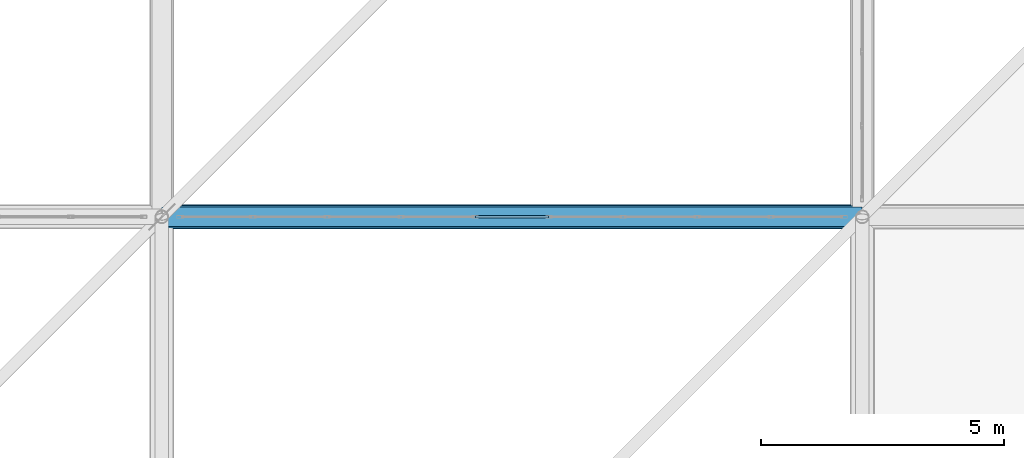
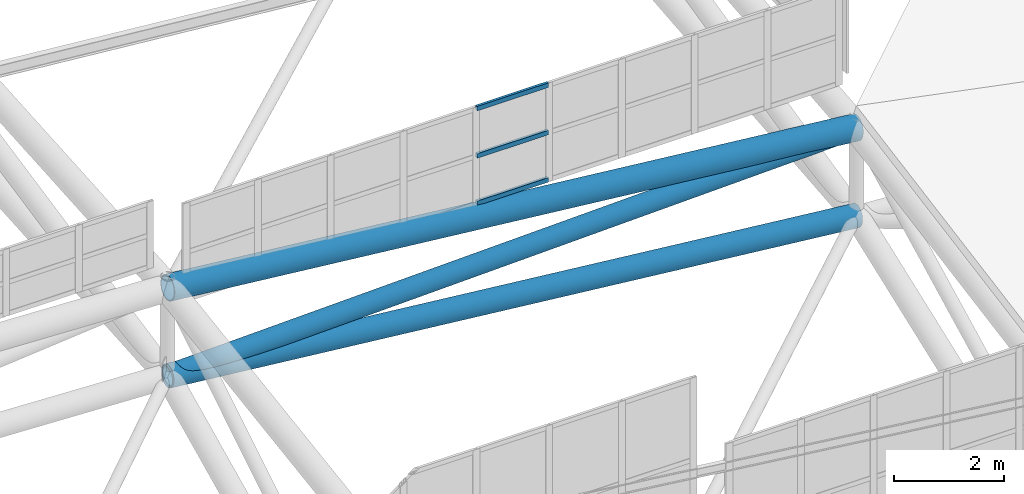
# One storey, part 107 of 397: 4 members, 2 beams, 1 element without a shape of its own.
"""IFC4 building model written with IfcOpenShell, lengths in metres."""

from ifc_helpers import new_model, si_unit, direction, frame, origin, origin_2d, place, context, subcontext, project, spatial, hollow_rectangle, hollow_circle, extrude, material, material_profile, profile_set, type_object, element, aggregate, save


model = new_model("IFC4")

# Units and contexts
model_context = context("Model", 3, precision=1e-05, world=origin(), true_north=direction((0.0, 1.0)))
body_context = subcontext(model_context, "Body", "Model", "MODEL_VIEW")
ifc_project = project(units=[si_unit("LENGTHUNIT", "METRE"), si_unit("AREAUNIT", "SQUARE_METRE"), si_unit("VOLUMEUNIT", "CUBIC_METRE"), si_unit("PLANEANGLEUNIT", "RADIAN"), si_unit("MASSUNIT", "GRAM", prefix="KILO")], contexts=[model_context])

# Site, building, storey
site_placement = place(None, origin())
site = spatial("IfcSite", under=ifc_project, at=site_placement, CompositionType="ELEMENT")
building_placement = place(site_placement, origin())
building = spatial("IfcBuilding", under=site, at=building_placement, Name="Qandorah Velis Arena", CompositionType="ELEMENT")
storey_placement = place(building_placement, frame((0.0, 0.0, 27.5)))
storey = spatial("IfcBuildingStorey", under=building, at=storey_placement, Name="RF", CompositionType="ELEMENT", Elevation=27.5)

# Curtain wall, members
ifc_material_1 = material(Name="Solar-control low-E double glazing", Category="glass")
curtain_wall_type = type_object("IfcCurtainWallType", Name="ARC-CW-SYS20", PredefinedType="USERDEFINED", material=ifc_material_1)
curtain_wall_placement = place(storey_placement, origin())
curtain_wall = element("IfcCurtainWall", 1, at=curtain_wall_placement, inside=storey, type_object=curtain_wall_type, Name="Unitised curtain wall OCULUS-3-5", ObjectType="UNITISED CURTAIN WALL", PredefinedType="USERDEFINED")
ifc_material_2 = material(Name="Champagne-bronze anodized aluminium 6063-T6", Category="aluminium")
ifc_material_profile_1 = material_profile(ifc_material_2, hollow_rectangle(XDim=0.054931640625, YDim=0.10009765625, WallThickness=0.0029296875, at=origin_2d()), Name="ALU TRANSOM 55x100")
ifc_profile_set_1 = profile_set([ifc_material_profile_1], Name="Champagne-bronze anodized aluminium 6063-T6")
member_type_1 = type_object("IfcMemberType", Name="ARC-CWT-100", PredefinedType="USERDEFINED", material=ifc_profile_set_1)
member_1_placement = place(storey_placement, frame((92.8544921875, 28.800048828125, 8.57763671875), z_axis=(1.0, 0.0, 0.0), x_axis=(0.0, 1.0, 0.0)))
member_1 = element("IfcMember", 2, at=member_1_placement, type_object=member_type_1, Name="CW20 transom 5.1", ObjectType="TRANSOM", PredefinedType="USERDEFINED", context=body_context, shape_type="SweptSolid", body=[
    extrude(hollow_rectangle(XDim=0.054931640625, YDim=0.10009765625, WallThickness=0.0029296875, at=origin_2d()), origin(), (0.0, 0.0, 1.0), 1.4912109375),
])
member_2_placement = place(storey_placement, frame((92.8544921875, 28.800048828125, 9.625244140625), z_axis=(1.0, 0.0, 0.0), x_axis=(0.0, 1.0, 0.0)))
member_2 = element("IfcMember", 3, at=member_2_placement, type_object=member_type_1, Name="CW20 transom 5.2", ObjectType="TRANSOM", PredefinedType="USERDEFINED", context=body_context, shape_type="SweptSolid", body=[
    extrude(hollow_rectangle(XDim=0.054931640625, YDim=0.10009765625, WallThickness=0.0029296875, at=origin_2d()), origin(), (0.0, 0.0, 1.0), 1.4912109375),
])
member_3_placement = place(storey_placement, frame((92.8544921875, 28.800048828125, 10.672607421875), z_axis=(1.0, 0.0, 0.0), x_axis=(0.0, 1.0, 0.0)))
member_3 = element("IfcMember", 4, at=member_3_placement, type_object=member_type_1, Name="CW20 transom 5.3", ObjectType="TRANSOM", PredefinedType="USERDEFINED", context=body_context, shape_type="SweptSolid", body=[
    extrude(hollow_rectangle(XDim=0.054931640625, YDim=0.10009765625, WallThickness=0.0029296875, at=origin_2d()), origin(), (0.0, 0.0, 1.0), 1.4912109375),
])
aggregate(curtain_wall, [member_1, member_2, member_3])

# Beams
ifc_material_3 = material(Name="Steel S355", Category="steel")
ifc_material_profile_2 = material_profile(ifc_material_3, hollow_circle(Radius=0.228515625, WallThickness=0.01611328125, at=origin_2d()), Name="CHS 457x16")
ifc_profile_set_2 = profile_set([ifc_material_profile_2], Name="Steel S355")
beam_type_1 = type_object("IfcBeamType", Name="STR-SFC-CHS457X16", PredefinedType="USERDEFINED", material=ifc_profile_set_2)
beam_1_placement = place(storey_placement, frame((86.39990234375, 28.800048828125, 7.009521484375), z_axis=(0.994660142717, 0.0, -0.103204653433), x_axis=(0.0, 1.0, 0.0)))
element("IfcBeam", 5, at=beam_1_placement, inside=storey, type_object=beam_type_1, Name="Space frame roof truss bottom chord X 5.1", ObjectType="ROOF TRUSS", PredefinedType="USERDEFINED", context=body_context, shape_type="SweptSolid", body=[
    extrude(hollow_circle(Radius=0.228515625, WallThickness=0.01611328125, at=origin_2d()), origin(), (0.0, 0.0, 1.0), 14.4775390625),
])
ifc_material_profile_3 = material_profile(ifc_material_3, hollow_circle(Radius=0.25390625, WallThickness=0.02001953125, at=origin_2d()), Name="CHS 508x20")
ifc_profile_set_3 = profile_set([ifc_material_profile_3], Name="Steel S355")
beam_type_2 = type_object("IfcBeamType", Name="STR-SFC-CHS508X20", PredefinedType="USERDEFINED", material=ifc_profile_set_3)
beam_2_placement = place(storey_placement, frame((86.39990234375, 28.800048828125, 8.95947265625), z_axis=(0.994660142717, 0.0, -0.103204653433), x_axis=(0.0, 1.0, 0.0)))
element("IfcBeam", 6, at=beam_2_placement, inside=storey, type_object=beam_type_2, Name="Space frame roof truss top chord X 5.1", ObjectType="ROOF TRUSS", PredefinedType="USERDEFINED", context=body_context, shape_type="SweptSolid", body=[
    extrude(hollow_circle(Radius=0.25390625, WallThickness=0.02001953125, at=origin_2d()), origin(), (0.0, 0.0, 1.0), 14.4775390625),
])

# Member
ifc_material_4 = material(Name="Steel S460", Category="steel")
ifc_material_profile_4 = material_profile(ifc_material_4, hollow_circle(Radius=0.203125, WallThickness=0.02001953125, at=origin_2d()), Name="CHS 406.4x20")
ifc_profile_set_4 = profile_set([ifc_material_profile_4], Name="Steel S460")
member_type_2 = type_object("IfcMemberType", Name="STR-SFD-CHS406X20", PredefinedType="STRUT", material=ifc_profile_set_4)
member_4_placement = place(storey_placement, frame((86.39990234375, 28.800048828125, 7.009521484375), z_axis=(0.999499413969, 0.0, 0.031637343063), x_axis=(0.0, 1.0, 0.0)))
element("IfcMember", 7, at=member_4_placement, inside=storey, type_object=member_type_2, Name="Space frame roof diagonal X 5.1", PredefinedType="STRUT", context=body_context, shape_type="SweptSolid", body=[
    extrude(hollow_circle(Radius=0.203125, WallThickness=0.02001953125, at=origin_2d()), origin(), (0.0, 0.0, 1.0), 14.407470703125),
])

save(model, "model.ifc")
